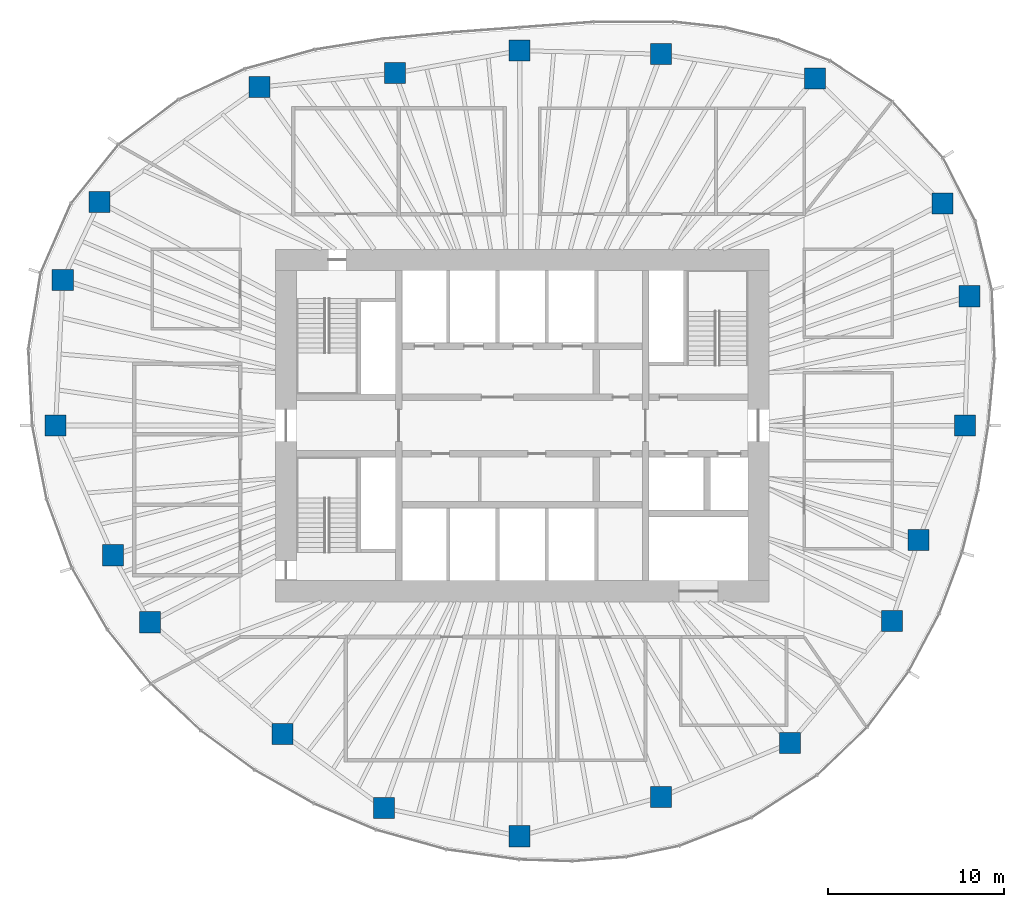
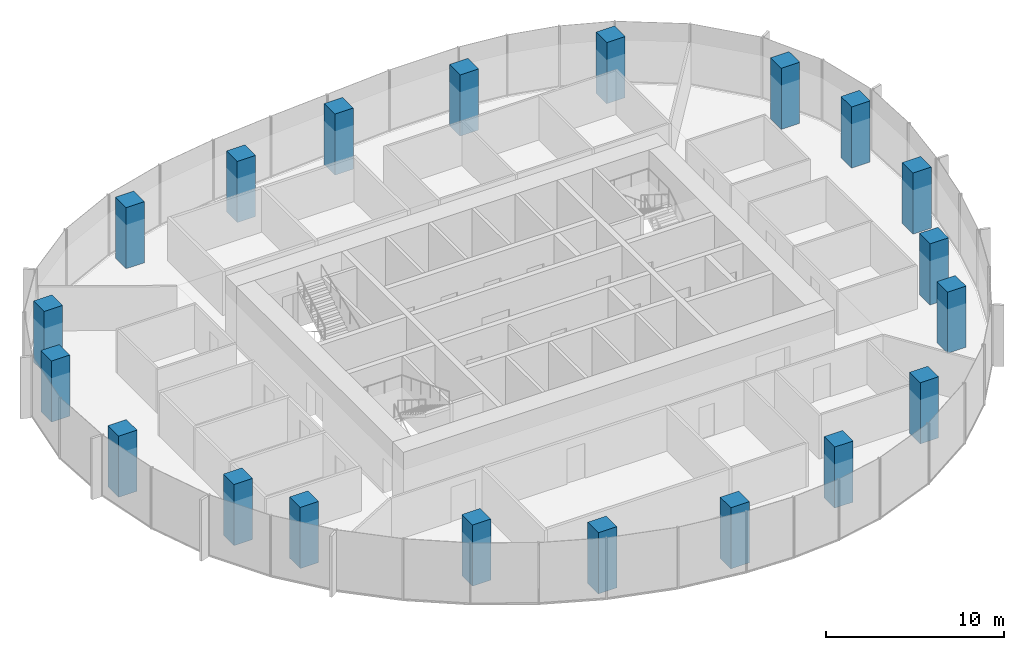
# One storey, part 1 of 11: 20 columns.
"""IFC4 building model written with IfcOpenShell, lengths in metres."""

from ifc_helpers import new_model, si_unit, direction, frame, origin, origin_2d, place, context, subcontext, project, spatial, rectangle, extrude, material, material_profile, profile_set, type_object, element, save


model = new_model("IFC4")

# Units and contexts
model_context = context("Model", 3, precision=1e-05, world=origin(), true_north=direction((0.0, 1.0)))
body_context = subcontext(model_context, "Body", "Model", "MODEL_VIEW")
ifc_project = project(units=[si_unit("LENGTHUNIT", "METRE"), si_unit("AREAUNIT", "SQUARE_METRE"), si_unit("VOLUMEUNIT", "CUBIC_METRE"), si_unit("PLANEANGLEUNIT", "RADIAN"), si_unit("MASSUNIT", "GRAM", prefix="KILO")], contexts=[model_context])

# Site, building, storey
site_placement = place(None, origin())
site = spatial("IfcSite", under=ifc_project, at=site_placement, CompositionType="ELEMENT")
building_placement = place(site_placement, origin())
building = spatial("IfcBuilding", under=site, at=building_placement, Name="Ghaith Harvest Tower", CompositionType="ELEMENT")
storey_placement = place(building_placement, frame((0.0, 0.0, 245.199951171875)))
storey = spatial("IfcBuildingStorey", under=building, at=storey_placement, Name="L54", CompositionType="ELEMENT", Elevation=245.199951171875)

# Columns
ifc_material = material(Name="Concrete C60/75", Category="concrete")
ifc_material_profile = material_profile(ifc_material, rectangle(XDim=1.199951171875, YDim=1.199951171875, at=origin_2d()), Name="RC1200X1200")
ifc_profile_set = profile_set([ifc_material_profile], Name="Concrete C60/75")
column_type = type_object("IfcColumnType", Name="TC6 RC1200X1200", PredefinedType="COLUMN", material=ifc_profile_set)
for number, where, z_axis, x_axis, name in (
    (1, (25.125, 0.0, 0.0), (0.0, 0.0, 1.0), (1.0, 0.0, 0.0), "Perimeter column C01"),
    (2, (25.3779296875, 7.3349609375, 0.0), (0.0, 0.0, 1.0), (1.0, 0.0, 0.0), "Perimeter column C02"),
    (3, (23.85205078125, 12.60693359375, 0.0), (0.0, 0.0, 1.0), (1.0, 0.0, 0.0), "Perimeter column C03"),
    (4, (16.60791015625, 19.695068359375, 0.0), (0.0, 0.0, 1.0), (1.0, 0.0, 0.0), "Perimeter column C04"),
    (5, (7.8779296875, 21.072021484375, 0.0), (0.0, 0.0, 1.0), (1.0, 0.0, 0.0), "Perimeter column C05"),
    (6, (-0.14599609375, 21.27099609375, 0.0), (0.0, 0.0, 1.0), (1.0, 0.0, 0.0), "Perimeter column C06"),
    (7, (-7.221923828125, 19.9970703125, 0.0), (0.0, 0.0, 1.0), (1.0, 0.0, 0.0), "Perimeter column C07"),
    (8, (-14.910888671875, 19.199951171875, 0.0), (0.0, 0.0, 1.0), (1.0, 0.0, 0.0), "Perimeter column C08"),
    (9, (-23.986083984375, 12.677978515625, 0.0), (0.0, 0.0, 1.0), (1.0, 0.0, 0.0), "Perimeter column C09"),
    (10, (-26.06689453125, 8.260986328125, 0.0), (0.0, 0.0, 1.0), (1.0, 0.0, 0.0), "Perimeter column C10"),
    (11, (-26.47509765625, 0.0, 0.0), (0.0, 0.0, 1.0), (1.0, 0.0, 0.0), "Perimeter column C11"),
    (12, (-23.22412109375, -7.360107421875, 0.0), (0.0, 0.0, 1.0), (1.0, 0.0, 0.0), "Perimeter column C12"),
    (13, (-21.125, -11.166015625, 0.0), (0.0, 0.0, 1.0), (1.0, 0.0, 0.0), "Perimeter column C13"),
    (14, (-13.594970703125, -17.5048828125, 0.0), (0.0, 0.0, 1.0), (1.0, 0.0, 0.0), "Perimeter column C14"),
    (15, (-7.837890625, -21.699951171875, 0.0), (0.0, 0.0, 1.0), (1.0, 0.0, 0.0), "Perimeter column C15"),
    (16, (-0.158935546875, -23.304931640625, 0.0), (0.0, 0.0, 1.0), (1.0, 0.0, 0.0), "Perimeter column C16"),
    (17, (7.8779296875, -21.072021484375, 0.0), (0.0, 0.0, 1.0), (1.0, 0.0, 0.0), "Perimeter column C17"),
    (18, (15.197998046875, -18.02294921875, 0.0), (0.0, 0.0, 1.0), (1.0, 0.0, 0.0), "Perimeter column C18"),
    (19, (20.97705078125, -11.087890625, 0.0), (0.0, 0.0, 1.0), (1.0, 0.0, 0.0), "Perimeter column C19"),
    (20, (22.485107421875, -6.4990234375, 0.0), (0.0, 0.0, 1.0), (1.0, 0.0, 0.0), "Perimeter column C20"),
):
    element("IfcColumn", number, at=place(storey_placement, frame(where, z_axis=z_axis, x_axis=x_axis)), inside=storey, type_object=column_type, Name=name, PredefinedType="COLUMN", context=body_context, shape_type="SweptSolid", body=[
        extrude(rectangle(XDim=1.199951171875, YDim=1.199951171875, at=origin_2d()), origin(), (0.0, 0.0, 1.0), 4.199951171875),
    ])

save(model, "model.ifc")
